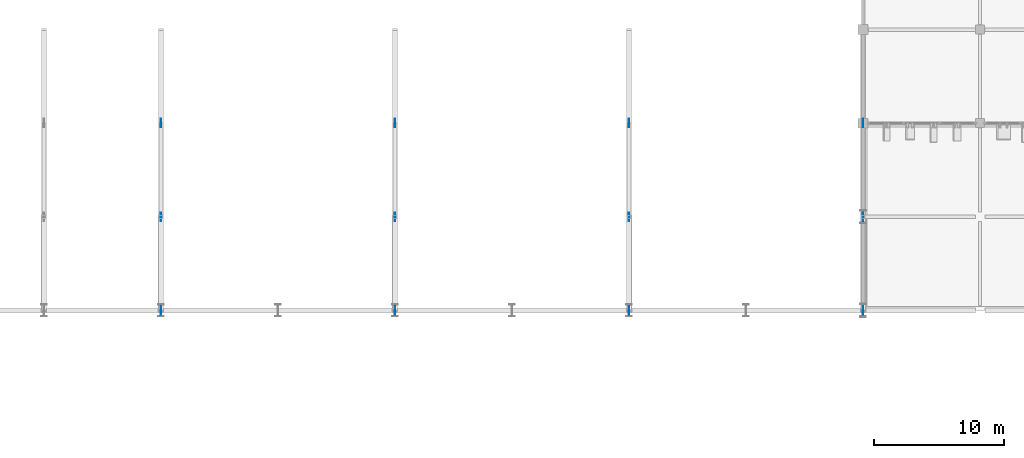
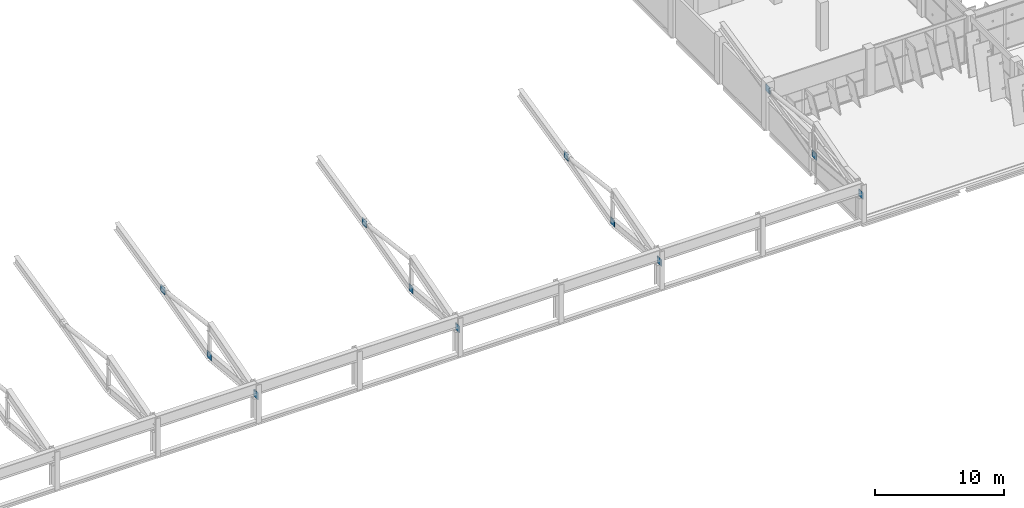
# One storey, part 95 of 151: 12 plates.
"""IFC4 building model written with IfcOpenShell, lengths in metres."""

from ifc_helpers import new_model, si_unit, direction, frame, origin, origin_2d, place, context, subcontext, project, spatial, rectangle, extrude, material, layer, layer_set, type_object, element, save


model = new_model("IFC4")

# Units and contexts
model_context = context("Model", 3, precision=1e-05, world=origin(), true_north=direction((0.0, 1.0)))
body_context = subcontext(model_context, "Body", "Model", "MODEL_VIEW")
ifc_project = project(units=[si_unit("LENGTHUNIT", "METRE"), si_unit("AREAUNIT", "SQUARE_METRE"), si_unit("VOLUMEUNIT", "CUBIC_METRE"), si_unit("PLANEANGLEUNIT", "RADIAN"), si_unit("MASSUNIT", "GRAM", prefix="KILO")], contexts=[model_context])

# Site, building, storey
site_placement = place(None, origin())
site = spatial("IfcSite", under=ifc_project, at=site_placement, CompositionType="ELEMENT")
building_placement = place(site_placement, origin())
building = spatial("IfcBuilding", under=site, at=building_placement, Name="Celestram Park Convention Centre", CompositionType="ELEMENT")
storey_placement = place(building_placement, frame((0.0, 0.0, 10.800048828125)))
storey = spatial("IfcBuildingStorey", under=building, at=storey_placement, Name="L02", CompositionType="ELEMENT", Elevation=10.800048828125)

# Plates
ifc_material = material(Name="Steel ASTM A572 Grade 50", Category="steel")
ifc_layer = layer(ifc_material, 0.050048828125)
ifc_layer_set = layer_set([ifc_layer], Name="Steel ASTM A572 Grade 50")
plate_type = type_object("IfcPlateType", Name="STR-PLT-GP50", PredefinedType="USERDEFINED", material=ifc_layer_set)
for number, where, z_axis, x_axis, name in (
    (1, (72.0, 21.60009765625, 2.103515625), (0.0, 0.0, 1.0), (0.0, 1.0, 0.0), "V1 truss node gusset plate"),
    (2, (72.0, 28.800048828125, 1.411865234375), (0.0, 0.0, 1.0), (0.0, 1.0, 0.0), "V1 truss node gusset plate"),
    (3, (72.0, 36.0, 3.290283203125), (0.0, 0.0, 1.0), (0.0, 1.0, 0.0), "V1 truss node gusset plate"),
    (4, (90.0, 21.60009765625, 2.103515625), (0.0, 0.0, 1.0), (0.0, 1.0, 0.0), "V1 truss node gusset plate"),
    (5, (90.0, 28.800048828125, 1.411865234375), (0.0, 0.0, 1.0), (0.0, 1.0, 0.0), "V1 truss node gusset plate"),
    (6, (90.0, 36.0, 3.290283203125), (0.0, 0.0, 1.0), (0.0, 1.0, 0.0), "V1 truss node gusset plate"),
    (7, (108.0, 21.60009765625, 2.103515625), (0.0, 0.0, 1.0), (0.0, 1.0, 0.0), "V1 truss node gusset plate"),
    (8, (108.0, 28.800048828125, 1.411865234375), (0.0, 0.0, 1.0), (0.0, 1.0, 0.0), "V1 truss node gusset plate"),
    (9, (108.0, 36.0, 3.290283203125), (0.0, 0.0, 1.0), (0.0, 1.0, 0.0), "V1 truss node gusset plate"),
    (10, (126.0, 21.60009765625, 2.103515625), (0.0, 0.0, 1.0), (0.0, 1.0, 0.0), "V1 truss node gusset plate"),
    (11, (126.0, 28.800048828125, 1.411865234375), (0.0, 0.0, 1.0), (0.0, 1.0, 0.0), "V1 truss node gusset plate"),
    (12, (126.0, 36.0, 3.290283203125), (0.0, 0.0, 1.0), (0.0, 1.0, 0.0), "V1 truss node gusset plate"),
):
    element("IfcPlate", number, at=place(storey_placement, frame(where, z_axis=z_axis, x_axis=x_axis)), inside=storey, type_object=plate_type, Name=name, ObjectType="GUSSET_PLATE", PredefinedType="USERDEFINED", context=body_context, shape_type="SweptSolid", body=[
        extrude(rectangle(XDim=0.64990234375, YDim=0.050048828125, at=origin_2d()), origin(), (0.0, 0.0, 1.0), 0.64990234375),
    ])

save(model, "model.ifc")
